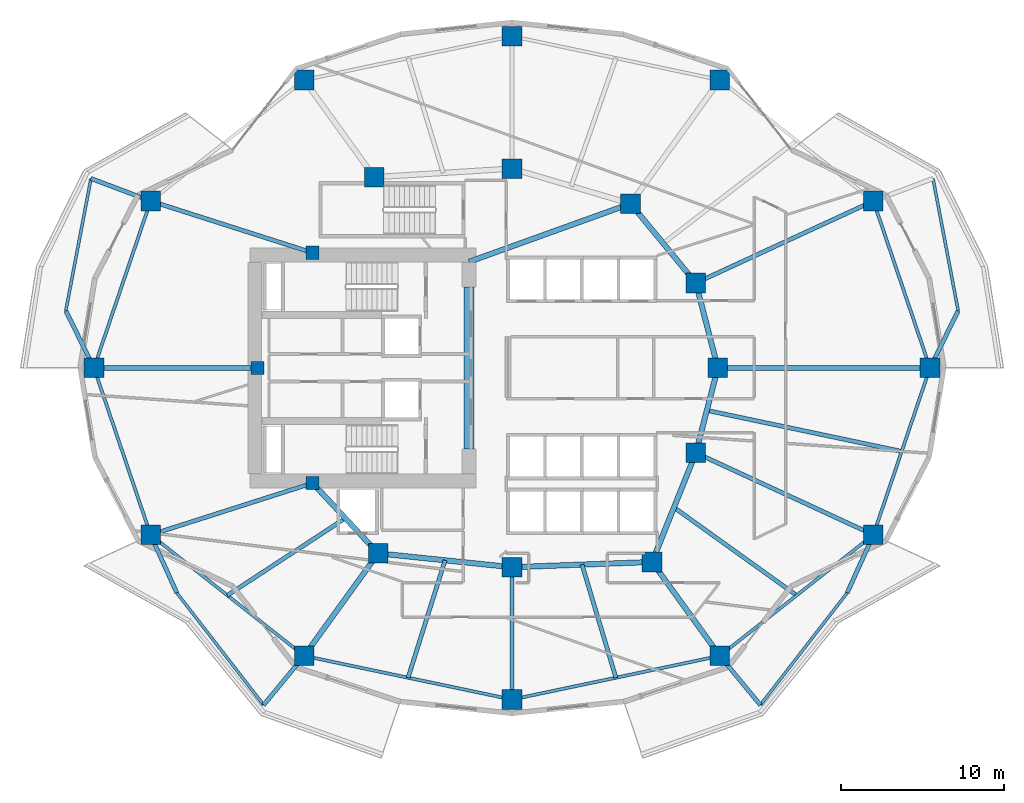
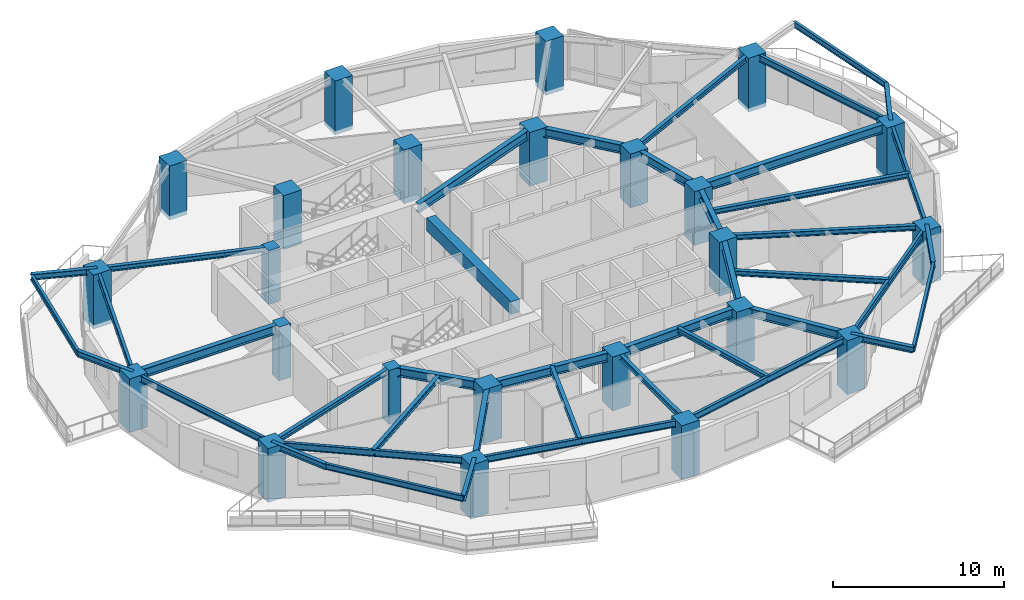
# One storey, part 1 of 12: 42 beams, 24 columns.
"""IFC4 building model written with IfcOpenShell, lengths in metres."""

from ifc_helpers import new_model, si_unit, direction, frame, origin, origin_2d, place, context, subcontext, project, spatial, rectangle, i_section, extrude, material, material_profile, profile_set, type_object, element, save


model = new_model("IFC4")

# Units and contexts
model_context = context("Model", 3, precision=1e-05, world=origin(), true_north=direction((0.0, 1.0)))
body_context = subcontext(model_context, "Body", "Model", "MODEL_VIEW")
ifc_project = project(units=[si_unit("LENGTHUNIT", "METRE"), si_unit("AREAUNIT", "SQUARE_METRE"), si_unit("VOLUMEUNIT", "CUBIC_METRE"), si_unit("PLANEANGLEUNIT", "RADIAN"), si_unit("MASSUNIT", "GRAM", prefix="KILO")], contexts=[model_context])

# Site, building, storey
site_placement = place(None, origin())
site = spatial("IfcSite", under=ifc_project, at=site_placement, CompositionType="ELEMENT")
building_placement = place(site_placement, origin())
building = spatial("IfcBuilding", under=site, at=building_placement, Name="Kolvaren Gate Tower and Convention Centre", CompositionType="ELEMENT")
storey_placement = place(building_placement, frame((0.0, 0.0, 84.25)))
storey = spatial("IfcBuildingStorey", under=building, at=storey_placement, Name="L20", CompositionType="ELEMENT", Elevation=84.25)

# Columns
ifc_material_1 = material(Name="Concrete C70/85", Category="concrete")
ifc_material_profile_1 = material_profile(ifc_material_1, rectangle(XDim=1.199951171875, YDim=1.199951171875, at=origin_2d()), Name="RC-COL-1200X1200")
ifc_profile_set_1 = profile_set([ifc_material_profile_1], Name="Concrete C70/85")
column_type_1 = type_object("IfcColumnType", Name="STR-COL-RC1200", PredefinedType="COLUMN", material=ifc_profile_set_1)
for number, where, z_axis, x_axis, name in (
    (1, (55.71240234375, 27.0, -0.280029296875), (0.0, 0.0, 1.0), (1.0, 0.0, 0.0), "Tower L20 Perimeter Supercolumn TP-01"),
    (2, (52.248779296875, 37.218505859375, -0.280029296875), (0.0, 0.0, 1.0), (1.0, 0.0, 0.0), "Tower L20 Perimeter Supercolumn TP-02"),
    (3, (42.846435546875, 44.627197265625, -0.280029296875), (0.0, 0.0, 1.0), (1.0, 0.0, 0.0), "Tower L20 Perimeter Supercolumn TP-03"),
    (4, (30.125, 47.300048828125, -0.280029296875), (0.0, 0.0, 1.0), (1.0, 0.0, 0.0), "Tower L20 Perimeter Supercolumn TP-04"),
    (5, (17.40380859375, 44.627197265625, -0.280029296875), (0.0, 0.0, 1.0), (1.0, 0.0, 0.0), "Tower L20 Perimeter Supercolumn TP-05"),
    (6, (8.001220703125, 37.218505859375, -0.280029296875), (0.0, 0.0, 1.0), (1.0, 0.0, 0.0), "Tower L20 Perimeter Supercolumn TP-06"),
    (7, (4.53759765625, 27.0, -0.280029296875), (0.0, 0.0, 1.0), (1.0, 0.0, 0.0), "Tower L20 Perimeter Supercolumn TP-07"),
    (8, (8.001220703125, 16.781494140625, -0.280029296875), (0.0, 0.0, 1.0), (1.0, 0.0, 0.0), "Tower L20 Perimeter Supercolumn TP-08"),
    (9, (17.403564453125, 9.372802734375, -0.280029296875), (0.0, 0.0, 1.0), (1.0, 0.0, 0.0), "Tower L20 Perimeter Supercolumn TP-09"),
    (10, (30.125, 6.699951171875, -0.280029296875), (0.0, 0.0, 1.0), (1.0, 0.0, 0.0), "Tower L20 Perimeter Supercolumn TP-10"),
    (11, (42.846435546875, 9.372802734375, -0.280029296875), (0.0, 0.0, 1.0), (1.0, 0.0, 0.0), "Tower L20 Perimeter Supercolumn TP-11"),
    (12, (52.248779296875, 16.781494140625, -0.280029296875), (0.0, 0.0, 1.0), (1.0, 0.0, 0.0), "Tower L20 Perimeter Supercolumn TP-12"),
    (13, (42.72509765625, 27.0, -0.280029296875), (0.0, 0.0, 1.0), (1.0, 0.0, 0.0), "Tower L20 Interior Column TI-01"),
    (14, (41.382080078125, 32.199462890625, -0.280029296875), (0.0, 0.0, 1.0), (1.0, 0.0, 0.0), "Tower L20 Interior Column TI-02"),
    (15, (37.381591796875, 37.054931640625, -0.280029296875), (0.0, 0.0, 1.0), (1.0, 0.0, 0.0), "Tower L20 Interior Column TI-03"),
    (16, (30.125, 39.199951171875, -0.280029296875), (0.0, 0.0, 1.0), (1.0, 0.0, 0.0), "Tower L20 Interior Column TI-04"),
    (17, (21.697998046875, 38.6767578125, -0.280029296875), (0.0, 0.0, 1.0), (1.0, 0.0, 0.0), "Tower L20 Interior Column TI-05"),
    (18, (21.93212890625, 15.647705078125, -0.280029296875), (0.0, 0.0, 1.0), (1.0, 0.0, 0.0), "Tower L20 Interior Column TI-06"),
    (19, (30.125, 14.800048828125, -0.280029296875), (0.0, 0.0, 1.0), (1.0, 0.0, 0.0), "Tower L20 Interior Column TI-07"),
    (20, (38.6982421875, 15.12060546875, -0.280029296875), (0.0, 0.0, 1.0), (1.0, 0.0, 0.0), "Tower L20 Interior Column TI-08"),
    (21, (41.382080078125, 21.800537109375, -0.280029296875), (0.0, 0.0, 1.0), (1.0, 0.0, 0.0), "Tower L20 Interior Column TI-09"),
):
    element("IfcColumn", number, at=place(storey_placement, frame(where, z_axis=z_axis, x_axis=x_axis)), inside=storey, type_object=column_type_1, Name=name, PredefinedType="COLUMN", context=body_context, shape_type="SweptSolid", body=[
        extrude(rectangle(XDim=1.199951171875, YDim=1.199951171875, at=origin_2d()), origin(), (0.0, 0.0, 1.0), 3.85009765625),
    ])
ifc_material_2 = material(Name="Concrete C60/75", Category="concrete")
ifc_material_profile_2 = material_profile(ifc_material_2, rectangle(XDim=0.800048828125, YDim=0.800048828125, at=origin_2d()), Name="RC-COL-800X800")
ifc_profile_set_2 = profile_set([ifc_material_profile_2], Name="Concrete C60/75")
column_type_2 = type_object("IfcColumnType", Name="STR-PIL-RC800", PredefinedType="PILASTER", material=ifc_profile_set_2)
for number, where, z_axis, x_axis, name in (
    (22, (17.9140625, 34.050048828125, -0.280029296875), (0.0, 0.0, 1.0), (1.0, 0.0, 0.0), "Tower L20 Core Boundary Pilaster TC-05"),
    (23, (14.550048828125, 27.0, -0.280029296875), (0.0, 0.0, 1.0), (1.0, 0.0, 0.0), "Tower L20 Core Boundary Pilaster TC-06"),
    (24, (17.9140625, 19.949951171875, -0.280029296875), (0.0, 0.0, 1.0), (1.0, 0.0, 0.0), "Tower L20 Core Boundary Pilaster TC-07"),
):
    element("IfcColumn", number, at=place(storey_placement, frame(where, z_axis=z_axis, x_axis=x_axis)), inside=storey, type_object=column_type_2, Name=name, PredefinedType="PILASTER", context=body_context, shape_type="SweptSolid", body=[
        extrude(rectangle(XDim=0.800048828125, YDim=0.800048828125, at=origin_2d()), origin(), (0.0, 0.0, 1.0), 3.85009765625),
    ])

# Beams
ifc_material_3 = material(Name="Structural steel ASTM A992 Grade 345 MPa", Category="steel")
ifc_material_profile_3 = material_profile(ifc_material_3, i_section(OverallWidth=0.260009765625, OverallDepth=0.419921875, WebThickness=0.013427734375, FlangeThickness=0.0224609375, at=origin_2d()), Name="W410X132")
ifc_profile_set_3 = profile_set([ifc_material_profile_3], Name="Structural steel ASTM A992 Grade 345 MPa")
beam_type_1 = type_object("IfcBeamType", Name="STR-BM-W410X132", PredefinedType="BEAM", material=ifc_profile_set_3)
beam_1_placement = place(storey_placement, frame((55.71240234375, 27.0, 3.360595703125), z_axis=(0.442775963142, 0.896632280516, 0.0), x_axis=(-0.896632280516, 0.442775963142, 0.0)))
element("IfcBeam", 25, at=beam_1_placement, inside=storey, type_object=beam_type_1, Name="Tower L21 Planted Balcony Outrigger Cantilever BC-1A", PredefinedType="BEAM", context=body_context, shape_type="SweptSolid", body=[
    extrude(i_section(OverallWidth=0.260009765625, OverallDepth=0.419921875, WebThickness=0.013427734375, FlangeThickness=0.0224609375, at=origin_2d()), origin(), (0.0, 0.0, 1.0), 3.89990234375),
])
beam_2_placement = place(storey_placement, frame((8.001220703125, 37.218505859375, 3.360595703125), z_axis=(-0.935601718951, 0.353057252434, 0.0), x_axis=(-0.353057252434, -0.935601718951, 0.0)))
element("IfcBeam", 26, at=beam_2_placement, inside=storey, type_object=beam_type_1, Name="Tower L21 Planted Balcony Outrigger Cantilever BC-2A", PredefinedType="BEAM", context=body_context, shape_type="SweptSolid", body=[
    extrude(i_section(OverallWidth=0.260009765625, OverallDepth=0.419921875, WebThickness=0.013427734375, FlangeThickness=0.0224609375, at=origin_2d()), origin(), (0.0, 0.0, 1.0), 3.900146484375),
])
beam_3_placement = place(storey_placement, frame((4.53759765625, 27.0, 3.360595703125), z_axis=(-0.442775963142, 0.896632280516, 0.0), x_axis=(-0.896632280516, -0.442775963142, 0.0)))
element("IfcBeam", 27, at=beam_3_placement, inside=storey, type_object=beam_type_1, Name="Tower L21 Planted Balcony Outrigger Cantilever BC-2B", PredefinedType="BEAM", context=body_context, shape_type="SweptSolid", body=[
    extrude(i_section(OverallWidth=0.260009765625, OverallDepth=0.419921875, WebThickness=0.013427734375, FlangeThickness=0.0224609375, at=origin_2d()), origin(), (0.0, 0.0, 1.0), 3.89990234375),
])
beam_4_placement = place(storey_placement, frame((8.001220703125, 16.781494140625, 3.360595703125), z_axis=(0.411967423592, -0.911198574351, 0.0), x_axis=(0.911198574351, 0.411967423592, 0.0)))
element("IfcBeam", 28, at=beam_4_placement, inside=storey, type_object=beam_type_1, Name="Tower L21 Planted Balcony Outrigger Cantilever BC-3A", PredefinedType="BEAM", context=body_context, shape_type="SweptSolid", body=[
    extrude(i_section(OverallWidth=0.260009765625, OverallDepth=0.419921875, WebThickness=0.013427734375, FlangeThickness=0.0224609375, at=origin_2d()), origin(), (0.0, 0.0, 1.0), 3.900146484375),
])
for number, where, z_axis, x_axis, name in (
    (29, (17.403564453125, 9.372802734375, 3.360595703125), (-0.637044832711, -0.770826751687, 0.0), (0.770826751687, -0.637044832711, 0.0), "Tower L21 Planted Balcony Outrigger Cantilever BC-3B"),
    (30, (42.846435546875, 9.372802734375, 3.360595703125), (0.637044832711, -0.770826751687, 0.0), (0.770826751687, 0.637044832711, 0.0), "Tower L21 Planted Balcony Outrigger Cantilever BC-4A"),
):
    element("IfcBeam", number, at=place(storey_placement, frame(where, z_axis=z_axis, x_axis=x_axis)), inside=storey, type_object=beam_type_1, Name=name, PredefinedType="BEAM", context=body_context, shape_type="SweptSolid", body=[
        extrude(i_section(OverallWidth=0.260009765625, OverallDepth=0.419921875, WebThickness=0.013427734375, FlangeThickness=0.0224609375, at=origin_2d()), origin(), (0.0, 0.0, 1.0), 3.89990234375),
    ])
beam_5_placement = place(storey_placement, frame((52.248779296875, 16.781494140625, 3.360595703125), z_axis=(-0.411967423592, -0.911198574351, 0.0), x_axis=(0.911198574351, -0.411967423592, 0.0)))
element("IfcBeam", 31, at=beam_5_placement, inside=storey, type_object=beam_type_1, Name="Tower L21 Planted Balcony Outrigger Cantilever BC-4B", PredefinedType="BEAM", context=body_context, shape_type="SweptSolid", body=[
    extrude(i_section(OverallWidth=0.260009765625, OverallDepth=0.419921875, WebThickness=0.013427734375, FlangeThickness=0.0224609375, at=origin_2d()), origin(), (0.0, 0.0, 1.0), 3.900146484375),
])
ifc_material_profile_4 = material_profile(ifc_material_3, i_section(OverallWidth=0.327880859375, OverallDepth=0.6279296875, WebThickness=0.0166015625, FlangeThickness=0.027587890625, at=origin_2d()), Name="W610X217")
ifc_profile_set_4 = profile_set([ifc_material_profile_4], Name="Structural steel ASTM A992 Grade 345 MPa")
beam_type_2 = type_object("IfcBeamType", Name="STR-BM-W610X217", PredefinedType="BEAM", material=ifc_profile_set_4)
beam_6_placement = place(storey_placement, frame((42.72509765625, 27.0, 3.256103515625), z_axis=(-0.250091133936, -0.968222301296, 0.0), x_axis=(0.968222301296, -0.250091133936, 0.0)))
element("IfcBeam", 32, at=beam_6_placement, inside=storey, type_object=beam_type_2, Name="Tower L20 Primary Ring Girder G-01", PredefinedType="BEAM", context=body_context, shape_type="SweptSolid", body=[
    extrude(i_section(OverallWidth=0.327880859375, OverallDepth=0.6279296875, WebThickness=0.0166015625, FlangeThickness=0.027587890625, at=origin_2d()), origin(), (0.0, 0.0, 1.0), 5.3701171875),
])
beam_7_placement = place(storey_placement, frame((41.382080078125, 32.199462890625, 3.256103515625), z_axis=(-0.635884066011, 0.771784590798, 0.0), x_axis=(-0.771784590798, -0.635884066011, 0.0)))
element("IfcBeam", 33, at=beam_7_placement, inside=storey, type_object=beam_type_2, Name="Tower L20 Primary Ring Girder G-02", PredefinedType="BEAM", context=body_context, shape_type="SweptSolid", body=[
    extrude(i_section(OverallWidth=0.327880859375, OverallDepth=0.6279296875, WebThickness=0.0166015625, FlangeThickness=0.027587890625, at=origin_2d()), origin(), (0.0, 0.0, 1.0), 6.291259765625),
])
beam_8_placement = place(storey_placement, frame((17.9140625, 19.949951171875, 3.256103515625), z_axis=(0.682557592987, -0.730831808459, 0.0), x_axis=(0.730831808459, 0.682557592987, 0.0)))
element("IfcBeam", 34, at=beam_8_placement, inside=storey, type_object=beam_type_2, Name="Tower L20 Primary Ring Girder G-06", PredefinedType="BEAM", context=body_context, shape_type="SweptSolid", body=[
    extrude(i_section(OverallWidth=0.327880859375, OverallDepth=0.6279296875, WebThickness=0.0166015625, FlangeThickness=0.027587890625, at=origin_2d()), origin(), (0.0, 0.0, 1.0), 5.88671875),
])
beam_9_placement = place(storey_placement, frame((21.93212890625, 15.647705078125, 3.256103515625), z_axis=(0.994690329115, -0.102913308978, 0.0), x_axis=(0.102913308978, 0.994690329115, 0.0)))
element("IfcBeam", 35, at=beam_9_placement, inside=storey, type_object=beam_type_2, Name="Tower L20 Primary Ring Girder G-07", PredefinedType="BEAM", context=body_context, shape_type="SweptSolid", body=[
    extrude(i_section(OverallWidth=0.327880859375, OverallDepth=0.6279296875, WebThickness=0.0166015625, FlangeThickness=0.027587890625, at=origin_2d()), origin(), (0.0, 0.0, 1.0), 8.236572265625),
])
beam_10_placement = place(storey_placement, frame((30.125, 14.800048828125, 3.256103515625), z_axis=(0.999301712453, 0.037364254142, 0.0), x_axis=(-0.037364254142, 0.999301712453, 0.0)))
element("IfcBeam", 36, at=beam_10_placement, inside=storey, type_object=beam_type_2, Name="Tower L20 Primary Ring Girder G-08", PredefinedType="BEAM", context=body_context, shape_type="SweptSolid", body=[
    extrude(i_section(OverallWidth=0.327880859375, OverallDepth=0.6279296875, WebThickness=0.0166015625, FlangeThickness=0.027587890625, at=origin_2d()), origin(), (0.0, 0.0, 1.0), 8.579345703125),
])
beam_11_placement = place(storey_placement, frame((38.6982421875, 15.12060546875, 3.256103515625), z_axis=(0.372811100169, 0.927907260232, 0.0), x_axis=(-0.927907260232, 0.372811100169, 0.0)))
element("IfcBeam", 37, at=beam_11_placement, inside=storey, type_object=beam_type_2, Name="Tower L20 Primary Ring Girder G-09", PredefinedType="BEAM", context=body_context, shape_type="SweptSolid", body=[
    extrude(i_section(OverallWidth=0.327880859375, OverallDepth=0.6279296875, WebThickness=0.0166015625, FlangeThickness=0.027587890625, at=origin_2d()), origin(), (0.0, 0.0, 1.0), 7.198974609375),
])
beam_12_placement = place(storey_placement, frame((27.5, 33.5, 3.256103515625), z_axis=(0.940961479908, 0.338513653093, 0.0), x_axis=(-0.338513653093, 0.940961479908, 0.0)))
element("IfcBeam", 38, at=beam_12_placement, inside=storey, type_object=beam_type_2, Name="Tower L20 Primary Ring Girder G-10", PredefinedType="BEAM", context=body_context, shape_type="SweptSolid", body=[
    extrude(i_section(OverallWidth=0.327880859375, OverallDepth=0.6279296875, WebThickness=0.0166015625, FlangeThickness=0.027587890625, at=origin_2d()), origin(), (0.0, 0.0, 1.0), 10.501708984375),
])
beam_13_placement = place(storey_placement, frame((42.72509765625, 27.0, 3.256103515625), z_axis=(-0.250091133936, 0.968222301296, 0.0), x_axis=(-0.968222301296, -0.250091133936, 0.0)))
element("IfcBeam", 39, at=beam_13_placement, inside=storey, type_object=beam_type_2, Name="Tower L20 Primary Ring Girder G-12", PredefinedType="BEAM", context=body_context, shape_type="SweptSolid", body=[
    extrude(i_section(OverallWidth=0.327880859375, OverallDepth=0.6279296875, WebThickness=0.0166015625, FlangeThickness=0.027587890625, at=origin_2d()), origin(), (0.0, 0.0, 1.0), 5.3701171875),
])
beam_14_placement = place(storey_placement, frame((42.72509765625, 27.0, 3.256103515625), z_axis=(1.0, 0.0, 0.0), x_axis=(0.0, 1.0, 0.0)))
element("IfcBeam", 40, at=beam_14_placement, inside=storey, type_object=beam_type_2, Name="Tower L20 Radial Floor Girder RB-01", PredefinedType="BEAM", context=body_context, shape_type="SweptSolid", body=[
    extrude(i_section(OverallWidth=0.327880859375, OverallDepth=0.6279296875, WebThickness=0.0166015625, FlangeThickness=0.027587890625, at=origin_2d()), origin(), (0.0, 0.0, 1.0), 12.9873046875),
])
beam_15_placement = place(storey_placement, frame((14.550048828125, 27.0, 3.256103515625), z_axis=(-1.0, 0.0, 0.0), x_axis=(0.0, -1.0, 0.0)))
element("IfcBeam", 41, at=beam_15_placement, inside=storey, type_object=beam_type_2, Name="Tower L20 Radial Floor Girder RB-07", PredefinedType="BEAM", context=body_context, shape_type="SweptSolid", body=[
    extrude(i_section(OverallWidth=0.327880859375, OverallDepth=0.6279296875, WebThickness=0.0166015625, FlangeThickness=0.027587890625, at=origin_2d()), origin(), (0.0, 0.0, 1.0), 10.012451171875),
])
beam_16_placement = place(storey_placement, frame((21.93212890625, 15.647705078125, 3.256103515625), z_axis=(-0.585209453994, -0.810882170821, 0.0), x_axis=(0.810882170821, -0.585209453994, 0.0)))
element("IfcBeam", 42, at=beam_16_placement, inside=storey, type_object=beam_type_2, Name="Tower L20 Radial Floor Girder RB-09", PredefinedType="BEAM", context=body_context, shape_type="SweptSolid", body=[
    extrude(i_section(OverallWidth=0.327880859375, OverallDepth=0.6279296875, WebThickness=0.0166015625, FlangeThickness=0.027587890625, at=origin_2d()), origin(), (0.0, 0.0, 1.0), 7.73828125),
])
beam_17_placement = place(storey_placement, frame((38.6982421875, 15.12060546875, 3.256103515625), z_axis=(0.585212604054, -0.81087989743, 0.0), x_axis=(0.81087989743, 0.585212604054, 0.0)))
element("IfcBeam", 43, at=beam_17_placement, inside=storey, type_object=beam_type_2, Name="Tower L20 Radial Floor Girder RB-11", PredefinedType="BEAM", context=body_context, shape_type="SweptSolid", body=[
    extrude(i_section(OverallWidth=0.327880859375, OverallDepth=0.6279296875, WebThickness=0.0166015625, FlangeThickness=0.027587890625, at=origin_2d()), origin(), (0.0, 0.0, 1.0), 7.08837890625),
])
ifc_material_profile_5 = material_profile(ifc_material_3, i_section(OverallWidth=0.2548828125, OverallDepth=0.35693359375, WebThickness=0.010498046875, FlangeThickness=0.018310546875, at=origin_2d()), Name="W360X101")
ifc_profile_set_5 = profile_set([ifc_material_profile_5], Name="Structural steel ASTM A992 Grade 345 MPa")
beam_type_3 = type_object("IfcBeamType", Name="STR-JS-W360X101", PredefinedType="JOIST", material=ifc_profile_set_5)
beam_18_placement = place(storey_placement, frame((41.382080078125, 32.199462890625, 3.3916015625), z_axis=(0.907843538102, 0.419309086864, 0.0), x_axis=(-0.419309086864, 0.907843538102, 0.0)))
element("IfcBeam", 44, at=beam_18_placement, inside=storey, type_object=beam_type_3, Name="Tower L20 Radial Floor Girder RB-02", PredefinedType="JOIST", context=body_context, shape_type="SweptSolid", body=[
    extrude(i_section(OverallWidth=0.2548828125, OverallDepth=0.35693359375, WebThickness=0.010498046875, FlangeThickness=0.018310546875, at=origin_2d()), origin(), (0.0, 0.0, 1.0), 11.9697265625),
])
for number, where, z_axis, x_axis, name in (
    (45, (17.9140625, 34.050048828125, 3.3916015625), (-0.952525967456, 0.304457355507, 0.0), (-0.304457355507, -0.952525967456, 0.0), "Tower L20 Radial Floor Girder RB-06"),
    (46, (17.9140625, 19.949951171875, 3.3916015625), (-0.952525967456, -0.304457355507, 0.0), (0.304457355507, -0.952525967456, 0.0), "Tower L20 Radial Floor Girder RB-08"),
):
    element("IfcBeam", number, at=place(storey_placement, frame(where, z_axis=z_axis, x_axis=x_axis)), inside=storey, type_object=beam_type_3, Name=name, PredefinedType="JOIST", context=body_context, shape_type="SweptSolid", body=[
        extrude(i_section(OverallWidth=0.2548828125, OverallDepth=0.35693359375, WebThickness=0.010498046875, FlangeThickness=0.018310546875, at=origin_2d()), origin(), (0.0, 0.0, 1.0), 10.406982421875),
    ])
beam_19_placement = place(storey_placement, frame((30.125, 14.800048828125, 3.3916015625), z_axis=(0.0, -1.0, 0.0), x_axis=(1.0, 0.0, 0.0)))
element("IfcBeam", 47, at=beam_19_placement, inside=storey, type_object=beam_type_3, Name="Tower L20 Radial Floor Girder RB-10", PredefinedType="JOIST", context=body_context, shape_type="SweptSolid", body=[
    extrude(i_section(OverallWidth=0.2548828125, OverallDepth=0.35693359375, WebThickness=0.010498046875, FlangeThickness=0.018310546875, at=origin_2d()), origin(), (0.0, 0.0, 1.0), 8.10009765625),
])
beam_20_placement = place(storey_placement, frame((41.382080078125, 21.800537109375, 3.3916015625), z_axis=(0.907843538102, -0.419309086864, 0.0), x_axis=(0.419309086864, 0.907843538102, 0.0)))
element("IfcBeam", 48, at=beam_20_placement, inside=storey, type_object=beam_type_3, Name="Tower L20 Radial Floor Girder RB-12", PredefinedType="JOIST", context=body_context, shape_type="SweptSolid", body=[
    extrude(i_section(OverallWidth=0.2548828125, OverallDepth=0.35693359375, WebThickness=0.010498046875, FlangeThickness=0.018310546875, at=origin_2d()), origin(), (0.0, 0.0, 1.0), 11.9697265625),
])
beam_21_placement = place(storey_placement, frame((19.923095703125, 17.798828125, 3.3916015625), z_axis=(-0.836945684387, -0.547285959428, 0.0), x_axis=(0.547285959428, -0.836945684387, 0.0)))
element("IfcBeam", 49, at=beam_21_placement, inside=storey, type_object=beam_type_3, Name="Tower L20 Secondary Composite Floor Joist J-08.1", PredefinedType="JOIST", context=body_context, shape_type="SweptSolid", body=[
    extrude(i_section(OverallWidth=0.2548828125, OverallDepth=0.35693359375, WebThickness=0.010498046875, FlangeThickness=0.018310546875, at=origin_2d()), origin(), (0.0, 0.0, 1.0), 8.62744140625),
])
beam_22_placement = place(storey_placement, frame((26.028564453125, 15.223876953125, 3.3916015625), z_axis=(-0.300467647472, -0.953792007108, 0.0), x_axis=(0.953792007108, -0.300467647472, 0.0)))
element("IfcBeam", 50, at=beam_22_placement, inside=storey, type_object=beam_type_3, Name="Tower L20 Secondary Composite Floor Joist J-09.1", PredefinedType="JOIST", context=body_context, shape_type="SweptSolid", body=[
    extrude(i_section(OverallWidth=0.2548828125, OverallDepth=0.35693359375, WebThickness=0.010498046875, FlangeThickness=0.018310546875, at=origin_2d()), origin(), (0.0, 0.0, 1.0), 7.535400390625),
])
beam_23_placement = place(storey_placement, frame((34.41162109375, 14.960205078125, 3.3916015625), z_axis=(0.286954287166, -0.957944276603, 0.0), x_axis=(0.957944276603, 0.286954287166, 0.0)))
element("IfcBeam", 51, at=beam_23_placement, inside=storey, type_object=beam_type_3, Name="Tower L20 Secondary Composite Floor Joist J-10.1", PredefinedType="JOIST", context=body_context, shape_type="SweptSolid", body=[
    extrude(i_section(OverallWidth=0.2548828125, OverallDepth=0.35693359375, WebThickness=0.010498046875, FlangeThickness=0.018310546875, at=origin_2d()), origin(), (0.0, 0.0, 1.0), 7.2275390625),
])
beam_24_placement = place(storey_placement, frame((40.040283203125, 18.46044921875, 3.3916015625), z_axis=(0.812660683761, -0.582737173234, 0.0), x_axis=(0.582737173234, 0.812660683761, 0.0)))
element("IfcBeam", 52, at=beam_24_placement, inside=storey, type_object=beam_type_3, Name="Tower L20 Secondary Composite Floor Joist J-11.1", PredefinedType="JOIST", context=body_context, shape_type="SweptSolid", body=[
    extrude(i_section(OverallWidth=0.2548828125, OverallDepth=0.35693359375, WebThickness=0.010498046875, FlangeThickness=0.018310546875, at=origin_2d()), origin(), (0.0, 0.0, 1.0), 9.238037109375),
])
beam_25_placement = place(storey_placement, frame((42.0537109375, 24.400146484375, 3.3916015625), z_axis=(0.978573369431, -0.205898423114, 0.0), x_axis=(0.205898423114, 0.978573369431, 0.0)))
element("IfcBeam", 53, at=beam_25_placement, inside=storey, type_object=beam_type_3, Name="Tower L20 Secondary Composite Floor Joist J-12.1", PredefinedType="JOIST", context=body_context, shape_type="SweptSolid", body=[
    extrude(i_section(OverallWidth=0.2548828125, OverallDepth=0.35693359375, WebThickness=0.010498046875, FlangeThickness=0.018310546875, at=origin_2d()), origin(), (0.0, 0.0, 1.0), 12.188232421875),
])
ifc_material_profile_6 = material_profile(ifc_material_2, rectangle(XDim=0.60009765625, YDim=0.89990234375, at=origin_2d()), Name="RC-BM-600X900")
ifc_profile_set_6 = profile_set([ifc_material_profile_6], Name="Concrete C60/75")
beam_type_4 = type_object("IfcBeamType", Name="STR-LN-RC600X900", PredefinedType="LINTEL", material=ifc_profile_set_6)
beam_26_placement = place(storey_placement, frame((27.5, 22.050048828125, 3.1201171875), z_axis=(0.0, 1.0, 0.0), x_axis=(-1.0, 0.0, 0.0)))
element("IfcBeam", 54, at=beam_26_placement, inside=storey, type_object=beam_type_4, Name="Tower L20 Core Ductile Coupling Beam CB-01", PredefinedType="LINTEL", context=body_context, shape_type="SweptSolid", body=[
    extrude(rectangle(XDim=0.60009765625, YDim=0.89990234375, at=origin_2d()), origin(), (0.0, 0.0, 1.0), 9.89990234375),
])
ifc_material_profile_7 = material_profile(ifc_material_3, i_section(OverallWidth=0.180908203125, OverallDepth=0.4169921875, WebThickness=0.010986328125, FlangeThickness=0.018310546875, at=origin_2d()), Name="W410X85")
ifc_profile_set_7 = profile_set([ifc_material_profile_7], Name="Structural steel ASTM A992 Grade 345 MPa")
beam_type_5 = type_object("IfcBeamType", Name="STR-SP-W410X85", PredefinedType="SPANDREL", material=ifc_profile_set_7)
for number, where, z_axis, x_axis, name in (
    (55, (57.439208984375, 30.496826171875, 3.362060546875), (-0.186984188423, 0.982362923404, 0.0), (-0.982362923404, -0.186984188423, 0.0), "Tower L21 Planted Balcony Header Tie Beam BT-1"),
    (56, (4.352294921875, 38.595458984375, 3.362060546875), (-0.186984188423, -0.982362923404, 0.0), (0.982362923404, -0.186984188423, 0.0), "Tower L21 Planted Balcony Header Tie Beam BT-2"),
):
    element("IfcBeam", number, at=place(storey_placement, frame(where, z_axis=z_axis, x_axis=x_axis)), inside=storey, type_object=beam_type_5, Name=name, PredefinedType="SPANDREL", context=body_context, shape_type="SweptSolid", body=[
        extrude(i_section(OverallWidth=0.180908203125, OverallDepth=0.4169921875, WebThickness=0.010986328125, FlangeThickness=0.018310546875, at=origin_2d()), origin(), (0.0, 0.0, 1.0), 8.244140625),
    ])
for number, where, z_axis, x_axis, name in (
    (57, (9.60791015625, 13.227783203125, 3.362060546875), (0.61213516889, -0.790753144166, 0.0), (0.790753144166, 0.61213516889, 0.0), "Tower L21 Planted Balcony Header Tie Beam BT-3"),
    (58, (45.330810546875, 6.36669921875, 3.362060546875), (0.61213516889, 0.790753144166, 0.0), (-0.790753144166, 0.61213516889, 0.0), "Tower L21 Planted Balcony Header Tie Beam BT-4"),
):
    element("IfcBeam", number, at=place(storey_placement, frame(where, z_axis=z_axis, x_axis=x_axis)), inside=storey, type_object=beam_type_5, Name=name, PredefinedType="SPANDREL", context=body_context, shape_type="SweptSolid", body=[
        extrude(i_section(OverallWidth=0.180908203125, OverallDepth=0.4169921875, WebThickness=0.010986328125, FlangeThickness=0.018310546875, at=origin_2d()), origin(), (0.0, 0.0, 1.0), 8.6767578125),
    ])
ifc_material_profile_8 = material_profile(ifc_material_3, i_section(OverallWidth=0.194091796875, OverallDepth=0.468994140625, WebThickness=0.0126953125, FlangeThickness=0.0205078125, at=origin_2d()), Name="W460X106")
ifc_profile_set_8 = profile_set([ifc_material_profile_8], Name="Structural steel ASTM A992 Grade 345 MPa")
beam_type_6 = type_object("IfcBeamType", Name="STR-SP-W460X106", PredefinedType="SPANDREL", material=ifc_profile_set_8)
for number, where, z_axis, x_axis, name in (
    (59, (55.71240234375, 27.0, 3.33544921875), (-0.321016233787, 0.947073691771, 0.0), (-0.947073691771, -0.321016233787, 0.0), "Tower L20 Perimeter Spandrel Beam SP-01"),
    (60, (8.001220703125, 37.218505859375, 3.33544921875), (-0.321016233787, -0.947073691771, 0.0), (0.947073691771, -0.321016233787, 0.0), "Tower L20 Perimeter Spandrel Beam SP-06"),
    (61, (4.53759765625, 27.0, 3.33544921875), (0.321016233787, -0.947073691771, 0.0), (0.947073691771, 0.321016233787, 0.0), "Tower L20 Perimeter Spandrel Beam SP-07"),
):
    element("IfcBeam", number, at=place(storey_placement, frame(where, z_axis=z_axis, x_axis=x_axis)), inside=storey, type_object=beam_type_6, Name=name, PredefinedType="SPANDREL", context=body_context, shape_type="SweptSolid", body=[
        extrude(i_section(OverallWidth=0.194091796875, OverallDepth=0.468994140625, WebThickness=0.0126953125, FlangeThickness=0.0205078125, at=origin_2d()), origin(), (0.0, 0.0, 1.0), 10.78955078125),
    ])
beam_27_placement = place(storey_placement, frame((8.001220703125, 16.781494140625, 3.33544921875), z_axis=(0.785459824636, -0.618912646407, 0.0), x_axis=(0.618912646407, 0.785459824636, 0.0)))
element("IfcBeam", 62, at=beam_27_placement, inside=storey, type_object=beam_type_6, Name="Tower L20 Perimeter Spandrel Beam SP-08", PredefinedType="SPANDREL", context=body_context, shape_type="SweptSolid", body=[
    extrude(i_section(OverallWidth=0.194091796875, OverallDepth=0.468994140625, WebThickness=0.0126953125, FlangeThickness=0.0205078125, at=origin_2d()), origin(), (0.0, 0.0, 1.0), 11.970458984375),
])
for number, where, z_axis, x_axis, name in (
    (63, (17.403564453125, 9.372802734375, 3.33544921875), (0.978632602148, -0.205616706552, 0.0), (0.205616706552, 0.978632602148, 0.0), "Tower L20 Perimeter Spandrel Beam SP-09"),
    (64, (30.125, 6.699951171875, 3.33544921875), (0.978632602148, 0.205616706552, 0.0), (-0.205616706552, 0.978632602148, 0.0), "Tower L20 Perimeter Spandrel Beam SP-10"),
):
    element("IfcBeam", number, at=place(storey_placement, frame(where, z_axis=z_axis, x_axis=x_axis)), inside=storey, type_object=beam_type_6, Name=name, PredefinedType="SPANDREL", context=body_context, shape_type="SweptSolid", body=[
        extrude(i_section(OverallWidth=0.194091796875, OverallDepth=0.468994140625, WebThickness=0.0126953125, FlangeThickness=0.0205078125, at=origin_2d()), origin(), (0.0, 0.0, 1.0), 12.999267578125),
    ])
beam_28_placement = place(storey_placement, frame((42.846435546875, 9.372802734375, 3.33544921875), z_axis=(0.785459824636, 0.618912646407, 0.0), x_axis=(-0.618912646407, 0.785459824636, 0.0)))
element("IfcBeam", 65, at=beam_28_placement, inside=storey, type_object=beam_type_6, Name="Tower L20 Perimeter Spandrel Beam SP-11", PredefinedType="SPANDREL", context=body_context, shape_type="SweptSolid", body=[
    extrude(i_section(OverallWidth=0.194091796875, OverallDepth=0.468994140625, WebThickness=0.0126953125, FlangeThickness=0.0205078125, at=origin_2d()), origin(), (0.0, 0.0, 1.0), 11.970458984375),
])
beam_29_placement = place(storey_placement, frame((52.248779296875, 16.781494140625, 3.33544921875), z_axis=(0.321016233787, 0.947073691771, 0.0), x_axis=(-0.947073691771, 0.321016233787, 0.0)))
element("IfcBeam", 66, at=beam_29_placement, inside=storey, type_object=beam_type_6, Name="Tower L20 Perimeter Spandrel Beam SP-12", PredefinedType="SPANDREL", context=body_context, shape_type="SweptSolid", body=[
    extrude(i_section(OverallWidth=0.194091796875, OverallDepth=0.468994140625, WebThickness=0.0126953125, FlangeThickness=0.0205078125, at=origin_2d()), origin(), (0.0, 0.0, 1.0), 10.78955078125),
])

save(model, "model.ifc")
